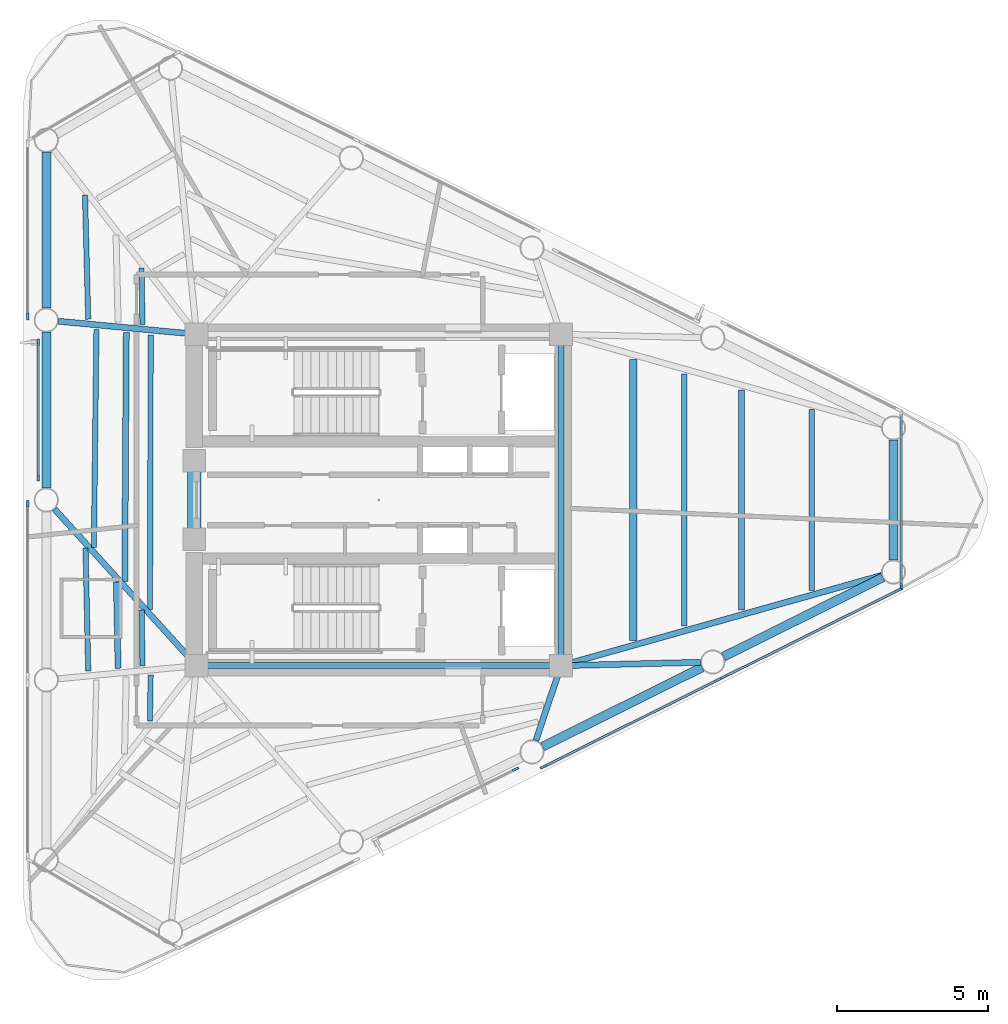
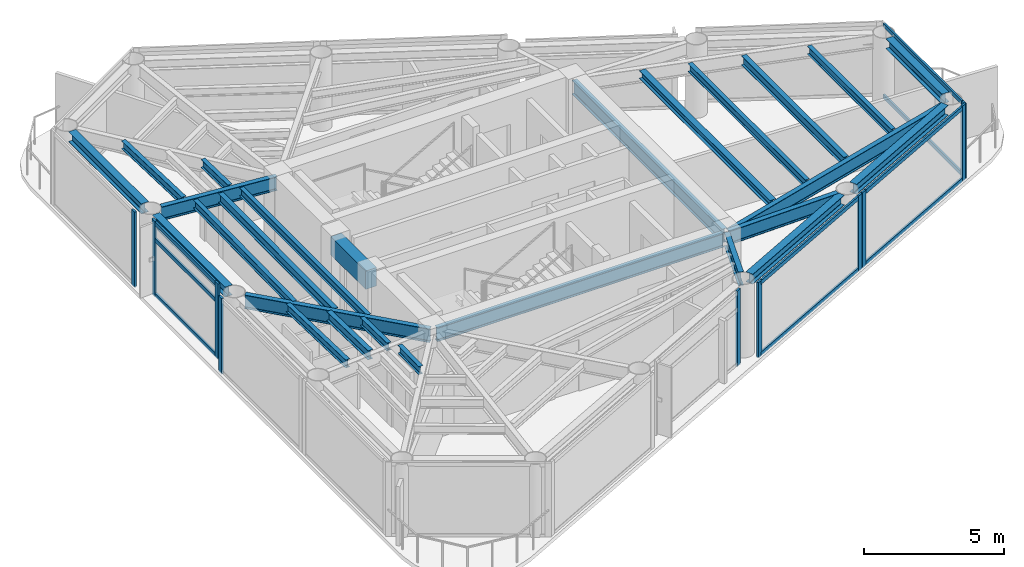
# One storey, part 2 of 10: 26 beams, 19 members, 7 elements without a shape of their own.
"""IFC4 building model written with IfcOpenShell, lengths in metres."""

from ifc_helpers import new_model, si_unit, direction, frame, origin, origin_2d, place, context, subcontext, project, spatial, rectangle, i_section, extrude, source, transform, mapped, material, layer, layer_set, material_profile, profile_set, type_object, element, aggregate, save


model = new_model("IFC4")

# Units and contexts
model_context = context("Model", 3, precision=1e-05, world=origin(), true_north=direction((0.0, 1.0)))
body_context = subcontext(model_context, "Body", "Model", "MODEL_VIEW")
ifc_project = project(units=[si_unit("LENGTHUNIT", "METRE"), si_unit("AREAUNIT", "SQUARE_METRE"), si_unit("VOLUMEUNIT", "CUBIC_METRE"), si_unit("PLANEANGLEUNIT", "RADIAN"), si_unit("MASSUNIT", "GRAM", prefix="KILO")], contexts=[model_context])

# Site, building, storey
site_placement = place(None, origin())
site = spatial("IfcSite", under=ifc_project, at=site_placement, CompositionType="ELEMENT")
building_placement = place(site_placement, origin())
building = spatial("IfcBuilding", under=site, at=building_placement, Name="Yunling Apex Tower", CompositionType="ELEMENT")
storey_placement = place(building_placement, frame((0.0, 0.0, 314.0)))
storey = spatial("IfcBuildingStorey", under=building, at=storey_placement, Name="L77", CompositionType="ELEMENT", Elevation=314.0)

# Beams
ifc_material_1 = material(Name="Concrete C40", Category="concrete")
ifc_material_profile_1 = material_profile(ifc_material_1, rectangle(XDim=0.449951171875, YDim=0.800048828125, at=origin_2d()))
ifc_profile_set_1 = profile_set([ifc_material_profile_1], Name="Concrete C40")
beam_type_1 = type_object("IfcBeamType", Name="BC-CPL-3", PredefinedType="BEAM", material=ifc_profile_set_1)
shared_shape_1 = source(origin(), body_context, "Body", "SweptSolid", [
    extrude(rectangle(XDim=0.449951171875, YDim=0.800048828125, at=origin_2d()), origin(), (0.0, 0.0, 1.0), 2.5),
])
beam_1_placement = place(storey_placement, frame((-6.125, -1.25, 2.7900390625), z_axis=(0.0, 1.0, 0.0), x_axis=(-1.0, 0.0, 0.0)))
element("IfcBeam", 1, at=beam_1_placement, inside=storey, type_object=beam_type_1, Name="L77 Core West Portal Coupling Beam", PredefinedType="BEAM", context=body_context, shape_type="MappedRepresentation", body=[
    mapped(shared_shape_1, transform((0.0, 0.0, 0.0), scale=1.0)),
])
ifc_material_2 = material(Name="Steel Q355B", Category="steel")
ifc_material_profile_2 = material_profile(ifc_material_2, i_section(OverallWidth=0.199951171875, OverallDepth=0.60009765625, WebThickness=0.010986328125, FlangeThickness=0.01708984375, FilletRadius=0.02197265625, at=origin_2d()))
ifc_profile_set_2 = profile_set([ifc_material_profile_2], Name="Steel Q355B")
beam_type_2 = type_object("IfcBeamType", Name="BG-PRI-5", PredefinedType="USERDEFINED", material=ifc_profile_set_2)
shared_shape_2 = source(origin(), body_context, "Body", "SweptSolid", [
    extrude(i_section(OverallWidth=0.199951171875, OverallDepth=0.60009765625, WebThickness=0.010986328125, FlangeThickness=0.01708984375, FilletRadius=0.02197265625, at=origin_2d()), origin(), (0.0, 0.0, 1.0), 11.7998046875),
])
beam_2_placement = place(storey_placement, frame((-5.89990234375, -5.5, 2.889892578125), z_axis=(1.0, 0.0, 0.0), x_axis=(0.0, 1.0, 0.0)))
element("IfcBeam", 2, at=beam_2_placement, inside=storey, type_object=beam_type_2, Name="L77 Core Ring Tie Beam 1", ObjectType="GIRDER", PredefinedType="USERDEFINED", context=body_context, shape_type="MappedRepresentation", body=[
    mapped(shared_shape_2, transform((0.0, 0.0, 0.0), scale=1.0)),
])
shared_shape_3 = source(origin(), body_context, "Body", "SweptSolid", [
    extrude(i_section(OverallWidth=0.199951171875, OverallDepth=0.60009765625, WebThickness=0.010986328125, FlangeThickness=0.01708984375, FilletRadius=0.02197265625, at=origin_2d()), origin(), (0.0, 0.0, 1.0), 10.7001953125),
])
beam_3_placement = place(storey_placement, frame((6.050048828125, -5.35009765625, 2.889892578125), z_axis=(0.0, 1.0, 0.0), x_axis=(-1.0, 0.0, 0.0)))
element("IfcBeam", 3, at=beam_3_placement, inside=storey, type_object=beam_type_2, Name="L77 Core Ring Tie Beam 2", ObjectType="GIRDER", PredefinedType="USERDEFINED", context=body_context, shape_type="MappedRepresentation", body=[
    mapped(shared_shape_3, transform((0.0, 0.0, 0.0), scale=1.0)),
])
ifc_material_profile_3 = material_profile(ifc_material_2, i_section(OverallWidth=0.300048828125, OverallDepth=0.43994140625, WebThickness=0.010986328125, FlangeThickness=0.01806640625, FilletRadius=0.02197265625, at=origin_2d()))
ifc_profile_set_3 = profile_set([ifc_material_profile_3], Name="Steel Q355B")
beam_type_3 = type_object("IfcBeamType", Name="BP-SPN-3", PredefinedType="SPANDREL", material=ifc_profile_set_3)
shared_shape_4 = source(origin(), body_context, "Body", "SweptSolid", [
    extrude(i_section(OverallWidth=0.300048828125, OverallDepth=0.43994140625, WebThickness=0.010986328125, FlangeThickness=0.01806640625, FilletRadius=0.02197265625, at=origin_2d()), origin(), (0.0, 0.0, 1.0), 5.9140625),
])
for number, where, z_axis, x_axis, name in (
    (4, (5.43896484375, -8.1884765625, 2.969970703125), (0.895259510924, 0.445545068539, 0.0), (-0.445545068539, 0.895259510924, 0.0), "L77 Perimeter Spandrel Beam 3"),
    (5, (11.439208984375, -5.2021484375, 2.969970703125), (0.895259510924, 0.445545068539, 0.0), (-0.445545068539, 0.895259510924, 0.0), "L77 Perimeter Spandrel Beam 4"),
):
    element("IfcBeam", number, at=place(storey_placement, frame(where, z_axis=z_axis, x_axis=x_axis)), inside=storey, type_object=beam_type_3, Name=name, PredefinedType="SPANDREL", context=body_context, shape_type="MappedRepresentation", body=[
        mapped(shared_shape_4, transform((0.0, 0.0, 0.0), scale=1.0)),
    ])
shared_shape_5 = source(origin(), body_context, "Body", "SweptSolid", [
    extrude(i_section(OverallWidth=0.300048828125, OverallDepth=0.43994140625, WebThickness=0.010986328125, FlangeThickness=0.01806640625, FilletRadius=0.02197265625, at=origin_2d()), origin(), (0.0, 0.0, 1.0), 3.9951171875),
])
beam_4_placement = place(storey_placement, frame((17.086669921875, -1.99755859375, 2.969970703125), z_axis=(0.0, 1.0, 0.0), x_axis=(-1.0, 0.0, 0.0)))
element("IfcBeam", 6, at=beam_4_placement, inside=storey, type_object=beam_type_3, Name="L77 Perimeter Spandrel Beam 5", PredefinedType="SPANDREL", context=body_context, shape_type="MappedRepresentation", body=[
    mapped(shared_shape_5, transform((0.0, 0.0, 0.0), scale=1.0)),
])
shared_shape_6 = source(origin(), body_context, "Body", "SweptSolid", [
    extrude(i_section(OverallWidth=0.300048828125, OverallDepth=0.43994140625, WebThickness=0.010986328125, FlangeThickness=0.01806640625, FilletRadius=0.02197265625, at=origin_2d()), origin(), (0.0, 0.0, 1.0), 5.1845703125),
])
for number, where, z_axis, x_axis, name in (
    (7, (-11.037353515625, 11.55126953125, 2.969970703125), (0.0, -1.0, 0.0), (1.0, 0.0, 0.0), "L77 Perimeter Spandrel Beam 11"),
    (8, (-11.037353515625, 5.57861328125, 2.969970703125), (0.0, -1.0, 0.0), (1.0, 0.0, 0.0), "L77 Perimeter Spandrel Beam 12"),
):
    element("IfcBeam", number, at=place(storey_placement, frame(where, z_axis=z_axis, x_axis=x_axis)), inside=storey, type_object=beam_type_3, Name=name, PredefinedType="SPANDREL", context=body_context, shape_type="MappedRepresentation", body=[
        mapped(shared_shape_6, transform((0.0, 0.0, 0.0), scale=1.0)),
    ])
shared_shape_7 = source(origin(), body_context, "Body", "SweptSolid", [
    extrude(i_section(OverallWidth=0.199951171875, OverallDepth=0.60009765625, WebThickness=0.010986328125, FlangeThickness=0.01708984375, FilletRadius=0.02197265625, at=origin_2d()), origin(), (0.0, 0.0, 1.0), 2.533935546875),
])
beam_5_placement = place(storey_placement, frame((5.21630859375, -7.977294921875, 2.889892578125), z_axis=(0.318914628896, 0.947783445454, 0.0), x_axis=(-0.947783445454, 0.318914628896, 0.0)))
element("IfcBeam", 9, at=beam_5_placement, inside=storey, type_object=beam_type_2, Name="L77 Radial Primary Girder R03", ObjectType="GIRDER", PredefinedType="USERDEFINED", context=body_context, shape_type="MappedRepresentation", body=[
    mapped(shared_shape_7, transform((0.0, 0.0, 0.0), scale=1.0)),
])
shared_shape_8 = source(origin(), body_context, "Body", "SweptSolid", [
    extrude(i_section(OverallWidth=0.199951171875, OverallDepth=0.60009765625, WebThickness=0.010986328125, FlangeThickness=0.01708984375, FilletRadius=0.02197265625, at=origin_2d()), origin(), (0.0, 0.0, 1.0), 4.5498046875),
])
beam_6_placement = place(storey_placement, frame((10.678466796875, -5.3876953125, 2.889892578125), z_axis=(-0.999705840498, -0.024253504369, 0.0), x_axis=(0.024253504369, -0.999705840498, 0.0)))
element("IfcBeam", 10, at=beam_6_placement, inside=storey, type_object=beam_type_2, Name="L77 Radial Primary Girder R04", ObjectType="GIRDER", PredefinedType="USERDEFINED", context=body_context, shape_type="MappedRepresentation", body=[
    mapped(shared_shape_8, transform((0.0, 0.0, 0.0), scale=1.0)),
])
shared_shape_9 = source(origin(), body_context, "Body", "SweptSolid", [
    extrude(i_section(OverallWidth=0.199951171875, OverallDepth=0.60009765625, WebThickness=0.010986328125, FlangeThickness=0.01708984375, FilletRadius=0.02197265625, at=origin_2d()), origin(), (0.0, 0.0, 1.0), 10.97802734375),
])
beam_7_placement = place(storey_placement, frame((16.69384765625, -2.502197265625, 2.889892578125), z_axis=(-0.962552702816, -0.271094622414, 0.0), x_axis=(0.271094622414, -0.962552702816, 0.0)))
element("IfcBeam", 11, at=beam_7_placement, inside=storey, type_object=beam_type_2, Name="L77 Radial Primary Girder R05", ObjectType="GIRDER", PredefinedType="USERDEFINED", context=body_context, shape_type="MappedRepresentation", body=[
    mapped(shared_shape_9, transform((0.0, 0.0, 0.0), scale=1.0)),
])
shared_shape_10 = source(origin(), body_context, "Body", "SweptSolid", [
    extrude(i_section(OverallWidth=0.199951171875, OverallDepth=0.60009765625, WebThickness=0.010986328125, FlangeThickness=0.01708984375, FilletRadius=0.02197265625, at=origin_2d()), origin(), (0.0, 0.0, 1.0), 4.521728515625),
])
beam_8_placement = place(storey_placement, frame((-10.631103515625, 5.93408203125, 2.889892578125), z_axis=(0.99554122067, -0.094327503661, 0.0), x_axis=(0.094327503661, 0.99554122067, 0.0)))
element("IfcBeam", 12, at=beam_8_placement, inside=storey, type_object=beam_type_2, Name="L77 Radial Primary Girder R12", ObjectType="GIRDER", PredefinedType="USERDEFINED", context=body_context, shape_type="MappedRepresentation", body=[
    mapped(shared_shape_10, transform((0.0, 0.0, 0.0), scale=1.0)),
])
shared_shape_11 = source(origin(), body_context, "Body", "SweptSolid", [
    extrude(i_section(OverallWidth=0.199951171875, OverallDepth=0.60009765625, WebThickness=0.010986328125, FlangeThickness=0.01708984375, FilletRadius=0.02197265625, at=origin_2d()), origin(), (0.0, 0.0, 1.0), 6.9365234375),
])
beam_9_placement = place(storey_placement, frame((-10.76318359375, -0.30224609375, 2.889892578125), z_axis=(0.671734994532, -0.740791534185, 0.0), x_axis=(0.740791534185, 0.671734994532, 0.0)))
element("IfcBeam", 13, at=beam_9_placement, inside=storey, type_object=beam_type_2, Name="L77 Radial Primary Girder R13", ObjectType="GIRDER", PredefinedType="USERDEFINED", context=body_context, shape_type="MappedRepresentation", body=[
    mapped(shared_shape_11, transform((0.0, 0.0, 0.0), scale=1.0)),
])
ifc_material_profile_4 = material_profile(ifc_material_2, i_section(OverallWidth=0.199951171875, OverallDepth=0.39990234375, WebThickness=0.008056640625, FlangeThickness=0.012939453125, FilletRadius=0.01611328125, at=origin_2d()))
ifc_profile_set_4 = profile_set([ifc_material_profile_4], Name="Steel Q355B")
beam_type_4 = type_object("IfcBeamType", Name="BS-SEC-4", PredefinedType="BEAM", material=ifc_profile_set_4)
shared_shape_12 = source(origin(), body_context, "Body", "SweptSolid", [
    extrude(i_section(OverallWidth=0.199951171875, OverallDepth=0.39990234375, WebThickness=0.008056640625, FlangeThickness=0.012939453125, FilletRadius=0.01611328125, at=origin_2d()), origin(), (0.0, 0.0, 1.0), 7.30322265625),
])
beam_10_placement = place(storey_placement, frame((12.04443359375, -3.651611328125, 2.989990234375), z_axis=(0.0, 1.0, 0.0), x_axis=(-1.0, 0.0, 0.0)))
element("IfcBeam", 14, at=beam_10_placement, inside=storey, type_object=beam_type_4, Name="L77 Composite Floor Beam BS-5", PredefinedType="BEAM", context=body_context, shape_type="MappedRepresentation", body=[
    mapped(shared_shape_12, transform((0.0, 0.0, 0.0), scale=1.0)),
])
ifc_material_profile_5 = material_profile(ifc_material_2, i_section(OverallWidth=0.175048828125, OverallDepth=0.35009765625, WebThickness=0.007080078125, FlangeThickness=0.010986328125, FilletRadius=0.013916015625, at=origin_2d()))
ifc_profile_set_5 = profile_set([ifc_material_profile_5], Name="Steel Q355B")
beam_type_5 = type_object("IfcBeamType", Name="BJ-JST-1", PredefinedType="JOIST", material=ifc_profile_set_5)
shared_shape_13 = source(origin(), body_context, "Body", "SweptSolid", [
    extrude(i_section(OverallWidth=0.175048828125, OverallDepth=0.35009765625, WebThickness=0.007080078125, FlangeThickness=0.010986328125, FilletRadius=0.013916015625, at=origin_2d()), origin(), (0.0, 0.0, 1.0), 5.99365234375),
])
beam_11_placement = place(storey_placement, frame((14.369140625, -2.996826171875, 3.014892578125), z_axis=(0.0, 1.0, 0.0), x_axis=(-1.0, 0.0, 0.0)))
element("IfcBeam", 15, at=beam_11_placement, inside=storey, type_object=beam_type_5, Name="L77 Composite Floor Joist BJ1-5", PredefinedType="JOIST", context=body_context, shape_type="MappedRepresentation", body=[
    mapped(shared_shape_13, transform((0.0, 0.0, 0.0), scale=1.0)),
])
shared_shape_14 = source(origin(), body_context, "Body", "SweptSolid", [
    extrude(i_section(OverallWidth=0.175048828125, OverallDepth=0.35009765625, WebThickness=0.007080078125, FlangeThickness=0.010986328125, FilletRadius=0.013916015625, at=origin_2d()), origin(), (0.0, 0.0, 1.0), 8.37451171875),
])
beam_12_placement = place(storey_placement, frame((10.142333984375, -4.187255859375, 3.014892578125), z_axis=(0.0, 1.0, 0.0), x_axis=(-1.0, 0.0, 0.0)))
element("IfcBeam", 16, at=beam_12_placement, inside=storey, type_object=beam_type_5, Name="L77 Composite Floor Joist BJ3-5", PredefinedType="JOIST", context=body_context, shape_type="MappedRepresentation", body=[
    mapped(shared_shape_14, transform((0.0, 0.0, 0.0), scale=1.0)),
])
ifc_material_profile_6 = material_profile(ifc_material_2, i_section(OverallWidth=0.25, OverallDepth=0.340087890625, WebThickness=0.009033203125, FlangeThickness=0.013916015625, FilletRadius=0.01806640625, at=origin_2d()))
ifc_profile_set_6 = profile_set([ifc_material_profile_6], Name="Steel Q355B")
beam_type_6 = type_object("IfcBeamType", Name="BJ-JST-2", PredefinedType="JOIST", material=ifc_profile_set_6)
shared_shape_15 = source(origin(), body_context, "Body", "SweptSolid", [
    extrude(i_section(OverallWidth=0.25, OverallDepth=0.340087890625, WebThickness=0.009033203125, FlangeThickness=0.013916015625, FilletRadius=0.01806640625, at=origin_2d()), origin(), (0.0, 0.0, 1.0), 9.3271484375),
])
beam_13_placement = place(storey_placement, frame((8.45166015625, -4.66357421875, 3.02001953125), z_axis=(0.0, 1.0, 0.0), x_axis=(-1.0, 0.0, 0.0)))
element("IfcBeam", 17, at=beam_13_placement, inside=storey, type_object=beam_type_6, Name="L77 Composite Floor Joist BJ2-5", PredefinedType="JOIST", context=body_context, shape_type="MappedRepresentation", body=[
    mapped(shared_shape_15, transform((0.0, 0.0, 0.0), scale=1.0)),
])
shared_shape_16 = source(origin(), body_context, "Body", "SweptSolid", [
    extrude(i_section(OverallWidth=0.175048828125, OverallDepth=0.35009765625, WebThickness=0.007080078125, FlangeThickness=0.010986328125, FilletRadius=0.013916015625, at=origin_2d()), origin(), (0.0, 0.0, 1.0), 4.130859375),
])
beam_14_placement = place(storey_placement, frame((-9.751953125, 10.129638671875, 3.014892578125), z_axis=(0.025887029391, -0.9996648747, 0.0), x_axis=(0.9996648747, 0.025887029391, 0.0)))
element("IfcBeam", 18, at=beam_14_placement, inside=storey, type_object=beam_type_5, Name="L77 Composite Floor Joist BJ1-11", PredefinedType="JOIST", context=body_context, shape_type="MappedRepresentation", body=[
    mapped(shared_shape_16, transform((0.0, 0.0, 0.0), scale=1.0)),
])
shared_shape_17 = source(origin(), body_context, "Body", "SweptSolid", [
    extrude(i_section(OverallWidth=0.175048828125, OverallDepth=0.35009765625, WebThickness=0.007080078125, FlangeThickness=0.010986328125, FilletRadius=0.013916015625, at=origin_2d()), origin(), (0.0, 0.0, 1.0), 1.87646484375),
])
beam_15_placement = place(storey_placement, frame((-7.877685546875, 7.705810546875, 3.014892578125), z_axis=(0.01847440018, -0.999829333705, 0.0), x_axis=(0.999829333705, 0.01847440018, 0.0)))
element("IfcBeam", 19, at=beam_15_placement, inside=storey, type_object=beam_type_5, Name="L77 Composite Floor Joist BJ3-11", PredefinedType="JOIST", context=body_context, shape_type="MappedRepresentation", body=[
    mapped(shared_shape_17, transform((0.0, 0.0, 0.0), scale=1.0)),
])
shared_shape_18 = source(origin(), body_context, "Body", "SweptSolid", [
    extrude(i_section(OverallWidth=0.199951171875, OverallDepth=0.39990234375, WebThickness=0.008056640625, FlangeThickness=0.012939453125, FilletRadius=0.01611328125, at=origin_2d()), origin(), (0.0, 0.0, 1.0), 8.2724609375),
])
beam_16_placement = place(storey_placement, frame((-8.38134765625, 5.560791015625, 2.989990234375), z_axis=(-0.006197679272, -0.999980794201, 0.0), x_axis=(0.999980794201, -0.006197679272, 0.0)))
element("IfcBeam", 20, at=beam_16_placement, inside=storey, type_object=beam_type_4, Name="L77 Composite Floor Beam BS-12", PredefinedType="BEAM", context=body_context, shape_type="MappedRepresentation", body=[
    mapped(shared_shape_18, transform((0.0, 0.0, 0.0), scale=1.0)),
])
shared_shape_19 = source(origin(), body_context, "Body", "SweptSolid", [
    extrude(i_section(OverallWidth=0.175048828125, OverallDepth=0.35009765625, WebThickness=0.007080078125, FlangeThickness=0.010986328125, FilletRadius=0.013916015625, at=origin_2d()), origin(), (0.0, 0.0, 1.0), 7.236328125),
])
beam_17_placement = place(storey_placement, frame((-9.37255859375, 5.65478515625, 3.014892578125), z_axis=(-0.011639673006, -0.999932256712, 0.0), x_axis=(0.999932256712, -0.011639673006, 0.0)))
element("IfcBeam", 21, at=beam_17_placement, inside=storey, type_object=beam_type_5, Name="L77 Composite Floor Joist BJ1-12", PredefinedType="JOIST", context=body_context, shape_type="MappedRepresentation", body=[
    mapped(shared_shape_19, transform((0.0, 0.0, 0.0), scale=1.0)),
])
shared_shape_20 = source(origin(), body_context, "Body", "SweptSolid", [
    extrude(i_section(OverallWidth=0.175048828125, OverallDepth=0.35009765625, WebThickness=0.007080078125, FlangeThickness=0.010986328125, FilletRadius=0.013916015625, at=origin_2d()), origin(), (0.0, 0.0, 1.0), 9.120361328125),
])
beam_18_placement = place(storey_placement, frame((-7.570556640625, 5.48388671875, 3.014892578125), z_axis=(-0.002596559494, -0.999996628934, 0.0), x_axis=(0.999996628934, -0.002596559494, 0.0)))
element("IfcBeam", 22, at=beam_18_placement, inside=storey, type_object=beam_type_5, Name="L77 Composite Floor Joist BJ3-12", PredefinedType="JOIST", context=body_context, shape_type="MappedRepresentation", body=[
    mapped(shared_shape_20, transform((0.0, 0.0, 0.0), scale=1.0)),
])
shared_shape_21 = source(origin(), body_context, "Body", "SweptSolid", [
    extrude(i_section(OverallWidth=0.199951171875, OverallDepth=0.39990234375, WebThickness=0.008056640625, FlangeThickness=0.012939453125, FilletRadius=0.01611328125, at=origin_2d()), origin(), (0.0, 0.0, 1.0), 2.86376953125),
])
beam_19_placement = place(storey_placement, frame((-8.7099609375, -2.72314453125, 2.989990234375), z_axis=(0.019692633422, -0.999806081292, 0.0), x_axis=(0.999806081292, 0.019692633422, 0.0)))
element("IfcBeam", 23, at=beam_19_placement, inside=storey, type_object=beam_type_4, Name="L77 Composite Floor Beam BS-13", PredefinedType="BEAM", context=body_context, shape_type="MappedRepresentation", body=[
    mapped(shared_shape_21, transform((0.0, 0.0, 0.0), scale=1.0)),
])
shared_shape_22 = source(origin(), body_context, "Body", "SweptSolid", [
    extrude(i_section(OverallWidth=0.175048828125, OverallDepth=0.35009765625, WebThickness=0.007080078125, FlangeThickness=0.010986328125, FilletRadius=0.013916015625, at=origin_2d()), origin(), (0.0, 0.0, 1.0), 4.0888671875),
])
beam_20_placement = place(storey_placement, frame((-9.734619140625, -1.592529296875, 3.014892578125), z_axis=(0.022092074649, -0.999755940336, 0.0), x_axis=(0.999755940336, 0.022092074649, 0.0)))
element("IfcBeam", 24, at=beam_20_placement, inside=storey, type_object=beam_type_5, Name="L77 Composite Floor Joist BJ1-13", PredefinedType="JOIST", context=body_context, shape_type="MappedRepresentation", body=[
    mapped(shared_shape_22, transform((0.0, 0.0, 0.0), scale=1.0)),
])
shared_shape_23 = source(origin(), body_context, "Body", "SweptSolid", [
    extrude(i_section(OverallWidth=0.175048828125, OverallDepth=0.35009765625, WebThickness=0.007080078125, FlangeThickness=0.010986328125, FilletRadius=0.013916015625, at=origin_2d()), origin(), (0.0, 0.0, 1.0), 1.861572265625),
])
beam_21_placement = place(storey_placement, frame((-7.871826171875, -3.648193359375, 3.014892578125), z_axis=(0.015606703404, -0.999878207988, 0.0), x_axis=(0.999878207988, 0.015606703404, 0.0)))
element("IfcBeam", 25, at=beam_21_placement, inside=storey, type_object=beam_type_5, Name="L77 Composite Floor Joist BJ3-13", PredefinedType="JOIST", context=body_context, shape_type="MappedRepresentation", body=[
    mapped(shared_shape_23, transform((0.0, 0.0, 0.0), scale=1.0)),
])
shared_shape_24 = source(origin(), body_context, "Body", "SweptSolid", [
    extrude(i_section(OverallWidth=0.175048828125, OverallDepth=0.35009765625, WebThickness=0.007080078125, FlangeThickness=0.010986328125, FilletRadius=0.013916015625, at=origin_2d()), origin(), (0.0, 0.0, 1.0), 1.53857421875),
])
beam_22_placement = place(storey_placement, frame((-7.572509765625, -5.803955078125, 3.014892578125), z_axis=(-0.015709852828, -0.999876592647, 0.0), x_axis=(0.999876592647, -0.015709852828, 0.0)))
element("IfcBeam", 26, at=beam_22_placement, inside=storey, type_object=beam_type_5, Name="L77 Composite Floor Joist BJ3-14", PredefinedType="JOIST", context=body_context, shape_type="MappedRepresentation", body=[
    mapped(shared_shape_24, transform((0.0, 0.0, 0.0), scale=1.0)),
])

# Curtain wall, members
ifc_material_3 = material(Name="Bronze anodised aluminium", Category="aluminium")
ifc_layer = layer(ifc_material_3, 0.219970703125)
ifc_layer_set = layer_set([ifc_layer], Name="Bronze anodised aluminium")
curtain_wall_type = type_object("IfcCurtainWallType", Name="CW-SYS-4", PredefinedType="NOTDEFINED", material=ifc_layer_set)
curtain_wall_1_placement = place(storey_placement, origin())
curtain_wall_1 = element("IfcCurtainWall", 27, at=curtain_wall_1_placement, inside=storey, type_object=curtain_wall_type, Name="CW-L77-F1-B3", PredefinedType="NOTDEFINED")
ifc_material_profile_7 = material_profile(ifc_material_3, rectangle(XDim=0.080078125, YDim=0.169921875, at=origin_2d()))
ifc_profile_set_7 = profile_set([ifc_material_profile_7], Name="Bronze anodised aluminium")
member_type_1 = type_object("IfcMemberType", Name="CW-TRN-4", PredefinedType="USERDEFINED", material=ifc_profile_set_7)
shared_shape_25 = source(origin(), body_context, "Body", "SweptSolid", [
    extrude(rectangle(XDim=0.080078125, YDim=0.169921875, at=origin_2d()), origin(), (0.0, 0.0, 1.0), 6.39013671875),
])
member_1_placement = place(storey_placement, frame((5.497802734375, -8.8408203125, 0.0400390625), z_axis=(0.895235684646, 0.445592940851, 0.0), x_axis=(-0.445592940851, 0.895235684646, 0.0)))
member_1 = element("IfcMember", 28, at=member_1_placement, type_object=member_type_1, Name="CW-SYS-4 transom 1.1", ObjectType="TRANSOM", PredefinedType="USERDEFINED", context=body_context, shape_type="MappedRepresentation", body=[
    mapped(shared_shape_25, transform((0.0, 0.0, 0.0), scale=1.0)),
])
member_2_placement = place(storey_placement, frame((5.497802734375, -8.8408203125, 3.14990234375), z_axis=(0.895235684646, 0.445592940851, 0.0), x_axis=(-0.445592940851, 0.895235684646, 0.0)))
member_2 = element("IfcMember", 29, at=member_2_placement, type_object=member_type_1, Name="CW-SYS-4 transom 1.2", ObjectType="TRANSOM", PredefinedType="USERDEFINED", context=body_context, shape_type="MappedRepresentation", body=[
    mapped(shared_shape_25, transform((0.0, 0.0, 0.0), scale=1.0)),
])

curtain_wall_2_placement = place(storey_placement, origin())
curtain_wall_2 = element("IfcCurtainWall", 30, at=curtain_wall_2_placement, inside=storey, type_object=curtain_wall_type, Name="CW-L77-F1-B4", PredefinedType="NOTDEFINED")
shared_shape_26 = source(origin(), body_context, "Body", "SweptSolid", [
    extrude(rectangle(XDim=0.080078125, YDim=0.169921875, at=origin_2d()), origin(), (0.0, 0.0, 1.0), 6.390380859375),
])
member_3_placement = place(storey_placement, frame((11.497802734375, -5.854248046875, 0.0400390625), z_axis=(0.895258509594, 0.445547080565, 0.0), x_axis=(-0.445547080565, 0.895258509594, 0.0)))
member_3 = element("IfcMember", 31, at=member_3_placement, type_object=member_type_1, Name="CW-SYS-4 transom 1.1", ObjectType="TRANSOM", PredefinedType="USERDEFINED", context=body_context, shape_type="MappedRepresentation", body=[
    mapped(shared_shape_26, transform((0.0, 0.0, 0.0), scale=1.0)),
])
member_4_placement = place(storey_placement, frame((11.497802734375, -5.854248046875, 3.14990234375), z_axis=(0.895258509594, 0.445547080565, 0.0), x_axis=(-0.445547080565, 0.895258509594, 0.0)))
member_4 = element("IfcMember", 32, at=member_4_placement, type_object=member_type_1, Name="CW-SYS-4 transom 1.2", ObjectType="TRANSOM", PredefinedType="USERDEFINED", context=body_context, shape_type="MappedRepresentation", body=[
    mapped(shared_shape_26, transform((0.0, 0.0, 0.0), scale=1.0)),
])

curtain_wall_3_placement = place(storey_placement, origin())
curtain_wall_3 = element("IfcCurtainWall", 33, at=curtain_wall_3_placement, inside=storey, type_object=curtain_wall_type, Name="CW-L77-CRN1", PredefinedType="NOTDEFINED")
shared_shape_27 = source(origin(), body_context, "Body", "SweptSolid", [
    extrude(rectangle(XDim=0.080078125, YDim=0.169921875, at=origin_2d()), origin(), (0.0, 0.0, 1.0), 5.6875),
])
member_5_placement = place(storey_placement, frame((17.349365234375, -2.84375, 0.0400390625), z_axis=(0.0, 1.0, 0.0), x_axis=(-1.0, 0.0, 0.0)))
member_5 = element("IfcMember", 34, at=member_5_placement, type_object=member_type_1, Name="CW-SYS-4 transom 1.1", ObjectType="TRANSOM", PredefinedType="USERDEFINED", context=body_context, shape_type="MappedRepresentation", body=[
    mapped(shared_shape_27, transform((0.0, 0.0, 0.0), scale=1.0)),
])
member_6_placement = place(storey_placement, frame((17.349365234375, -2.84375, 3.14990234375), z_axis=(0.0, 1.0, 0.0), x_axis=(-1.0, 0.0, 0.0)))
member_6 = element("IfcMember", 35, at=member_6_placement, type_object=member_type_1, Name="CW-SYS-4 transom 1.2", ObjectType="TRANSOM", PredefinedType="USERDEFINED", context=body_context, shape_type="MappedRepresentation", body=[
    mapped(shared_shape_27, transform((0.0, 0.0, 0.0), scale=1.0)),
])

curtain_wall_4_placement = place(storey_placement, origin())
curtain_wall_4 = element("IfcCurtainWall", 36, at=curtain_wall_4_placement, inside=storey, type_object=curtain_wall_type, Name="CW-L77-F3-B2", PredefinedType="NOTDEFINED")
shared_shape_28 = source(origin(), body_context, "Body", "SweptSolid", [
    extrude(rectangle(XDim=0.080078125, YDim=0.169921875, at=origin_2d()), origin(), (0.0, 0.0, 1.0), 4.420654296875),
])
member_7_placement = place(storey_placement, frame((-11.307373046875, 5.196533203125, 0.0400390625), z_axis=(0.0, -1.0, 0.0), x_axis=(1.0, 0.0, 0.0)))
member_7 = element("IfcMember", 37, at=member_7_placement, type_object=member_type_1, Name="CW-SYS-4 transom 1.1", ObjectType="TRANSOM", PredefinedType="USERDEFINED", context=body_context, shape_type="MappedRepresentation", body=[
    mapped(shared_shape_28, transform((0.0, 0.0, 0.0), scale=1.0)),
])
member_8_placement = place(storey_placement, frame((-11.307373046875, 5.196533203125, 2.42431640625), z_axis=(0.0, -1.0, 0.0), x_axis=(1.0, 0.0, 0.0)))
member_8 = element("IfcMember", 38, at=member_8_placement, type_object=member_type_1, Name="CW-SYS-4 transom 1.2", ObjectType="TRANSOM", PredefinedType="USERDEFINED", context=body_context, shape_type="MappedRepresentation", body=[
    mapped(shared_shape_28, transform((0.0, 0.0, 0.0), scale=1.0)),
])
member_9_placement = place(storey_placement, frame((-11.307373046875, 5.196533203125, 3.14990234375), z_axis=(0.0, -1.0, 0.0), x_axis=(1.0, 0.0, 0.0)))
member_9 = element("IfcMember", 39, at=member_9_placement, type_object=member_type_1, Name="CW-SYS-4 transom 1.3", ObjectType="TRANSOM", PredefinedType="USERDEFINED", context=body_context, shape_type="MappedRepresentation", body=[
    mapped(shared_shape_28, transform((0.0, 0.0, 0.0), scale=1.0)),
])

# Curtain wall, member
curtain_wall_5_placement = place(storey_placement, origin())
curtain_wall_5 = element("IfcCurtainWall", 40, at=curtain_wall_5_placement, inside=storey, type_object=curtain_wall_type, Name="CW-L77-F1-B2", PredefinedType="NOTDEFINED")
ifc_material_profile_8 = material_profile(ifc_material_3, rectangle(XDim=0.080078125, YDim=0.219970703125, at=origin_2d()))
ifc_profile_set_8 = profile_set([ifc_material_profile_8], Name="Bronze anodised aluminium")
member_type_2 = type_object("IfcMemberType", Name="CW-MUL-4", PredefinedType="MULLION", material=ifc_profile_set_8)
shared_shape_29 = source(origin(), body_context, "Body", "SweptSolid", [
    extrude(rectangle(XDim=0.080078125, YDim=0.219970703125, at=origin_2d()), origin(), (0.0, 0.0, 1.0), 3.2900390625),
])
member_10_placement = place(storey_placement, frame((4.544189453125, -8.935546875, -0.050048828125), z_axis=(0.0, 0.0, 1.0), x_axis=(-0.445560721723, 0.895251720611, 0.0)))
member_10 = element("IfcMember", 41, at=member_10_placement, type_object=member_type_2, Name="CW-SYS-4 mullion 2", PredefinedType="MULLION", context=body_context, shape_type="MappedRepresentation", body=[
    mapped(shared_shape_29, transform((0.0, 0.0, 0.0), scale=1.0)),
])
aggregate(curtain_wall_5, [member_10])

# Member
member_11_placement = place(storey_placement, frame((5.465576171875, -8.856689453125, -0.050048828125), z_axis=(0.0, 0.0, 1.0), x_axis=(-0.445580385698, 0.895241933715, 0.0)))
member_11 = element("IfcMember", 42, at=member_11_placement, type_object=member_type_2, Name="CW-SYS-4 mullion 1", PredefinedType="MULLION", context=body_context, shape_type="MappedRepresentation", body=[
    mapped(shared_shape_29, transform((0.0, 0.0, 0.0), scale=1.0)),
])

member_12_placement = place(storey_placement, frame((11.250732421875, -5.977294921875, -0.050048828125), z_axis=(0.0, 0.0, 1.0), x_axis=(-0.445580385698, 0.895241933715, 0.0)))
member_12 = element("IfcMember", 43, at=member_12_placement, type_object=member_type_2, Name="CW-SYS-4 mullion 2", PredefinedType="MULLION", context=body_context, shape_type="MappedRepresentation", body=[
    mapped(shared_shape_29, transform((0.0, 0.0, 0.0), scale=1.0)),
])

aggregate(curtain_wall_1, [member_11, member_12, member_1, member_2])

member_13_placement = place(storey_placement, frame((11.465576171875, -5.870361328125, -0.050048828125), z_axis=(0.0, 0.0, 1.0), x_axis=(-0.445568135078, 0.895248030996, 0.0)))
member_13 = element("IfcMember", 44, at=member_13_placement, type_object=member_type_2, Name="CW-SYS-4 mullion 1", PredefinedType="MULLION", context=body_context, shape_type="MappedRepresentation", body=[
    mapped(shared_shape_29, transform((0.0, 0.0, 0.0), scale=1.0)),
])

member_14_placement = place(storey_placement, frame((17.2509765625, -2.990966796875, -0.050048828125), z_axis=(0.0, 0.0, 1.0), x_axis=(-0.445568135078, 0.895248030996, 0.0)))
member_14 = element("IfcMember", 45, at=member_14_placement, type_object=member_type_2, Name="CW-SYS-4 mullion 2", PredefinedType="MULLION", context=body_context, shape_type="MappedRepresentation", body=[
    mapped(shared_shape_29, transform((0.0, 0.0, 0.0), scale=1.0)),
])

aggregate(curtain_wall_2, [member_13, member_14, member_3, member_4])

member_15_placement = place(storey_placement, frame((17.349365234375, -2.879638671875, -0.050048828125), z_axis=(0.0, 0.0, 1.0), x_axis=(-1.0, 0.0, 0.0)))
member_15 = element("IfcMember", 46, at=member_15_placement, type_object=member_type_2, Name="CW-SYS-4 mullion 1", PredefinedType="MULLION", context=body_context, shape_type="MappedRepresentation", body=[
    mapped(shared_shape_29, transform((0.0, 0.0, 0.0), scale=1.0)),
])

aggregate(curtain_wall_3, [member_15, member_5, member_6])

# Curtain wall, member
curtain_wall_6_placement = place(storey_placement, origin())
curtain_wall_6 = element("IfcCurtainWall", 47, at=curtain_wall_6_placement, inside=storey, type_object=curtain_wall_type, Name="CW-L77-F3-B1", PredefinedType="NOTDEFINED")
member_16_placement = place(storey_placement, frame((-11.647216796875, 6.092529296875, -0.050048828125), z_axis=(0.0, 0.0, 1.0), x_axis=(1.0, 0.0, 0.0)))
member_16 = element("IfcMember", 48, at=member_16_placement, type_object=member_type_2, Name="CW-SYS-4 mullion 2", PredefinedType="MULLION", context=body_context, shape_type="MappedRepresentation", body=[
    mapped(shared_shape_29, transform((0.0, 0.0, 0.0), scale=1.0)),
])
aggregate(curtain_wall_6, [member_16])

# Member
member_17_placement = place(storey_placement, frame((-11.307373046875, 5.232666015625, -0.050048828125), z_axis=(0.0, 0.0, 1.0), x_axis=(1.0, 0.0, 0.0)))
member_17 = element("IfcMember", 49, at=member_17_placement, type_object=member_type_2, Name="CW-SYS-4 mullion 1", PredefinedType="MULLION", context=body_context, shape_type="MappedRepresentation", body=[
    mapped(shared_shape_29, transform((0.0, 0.0, 0.0), scale=1.0)),
])

member_18_placement = place(storey_placement, frame((-11.307373046875, 0.739990234375, -0.050048828125), z_axis=(0.0, 0.0, 1.0), x_axis=(1.0, 0.0, 0.0)))
member_18 = element("IfcMember", 50, at=member_18_placement, type_object=member_type_2, Name="CW-SYS-4 mullion 2", PredefinedType="MULLION", context=body_context, shape_type="MappedRepresentation", body=[
    mapped(shared_shape_29, transform((0.0, 0.0, 0.0), scale=1.0)),
])

aggregate(curtain_wall_4, [member_17, member_18, member_7, member_8, member_9])

# Curtain wall, member
curtain_wall_7_placement = place(storey_placement, origin())
curtain_wall_7 = element("IfcCurtainWall", 51, at=curtain_wall_7_placement, inside=storey, type_object=curtain_wall_type, Name="CW-L77-F3-B3", PredefinedType="NOTDEFINED")
member_19_placement = place(storey_placement, frame((-11.647216796875, -0.1201171875, -0.050048828125), z_axis=(0.0, 0.0, 1.0), x_axis=(1.0, 0.0, 0.0)))
member_19 = element("IfcMember", 52, at=member_19_placement, type_object=member_type_2, Name="CW-SYS-4 mullion 1", PredefinedType="MULLION", context=body_context, shape_type="MappedRepresentation", body=[
    mapped(shared_shape_29, transform((0.0, 0.0, 0.0), scale=1.0)),
])
aggregate(curtain_wall_7, [member_19])

save(model, "model.ifc")
